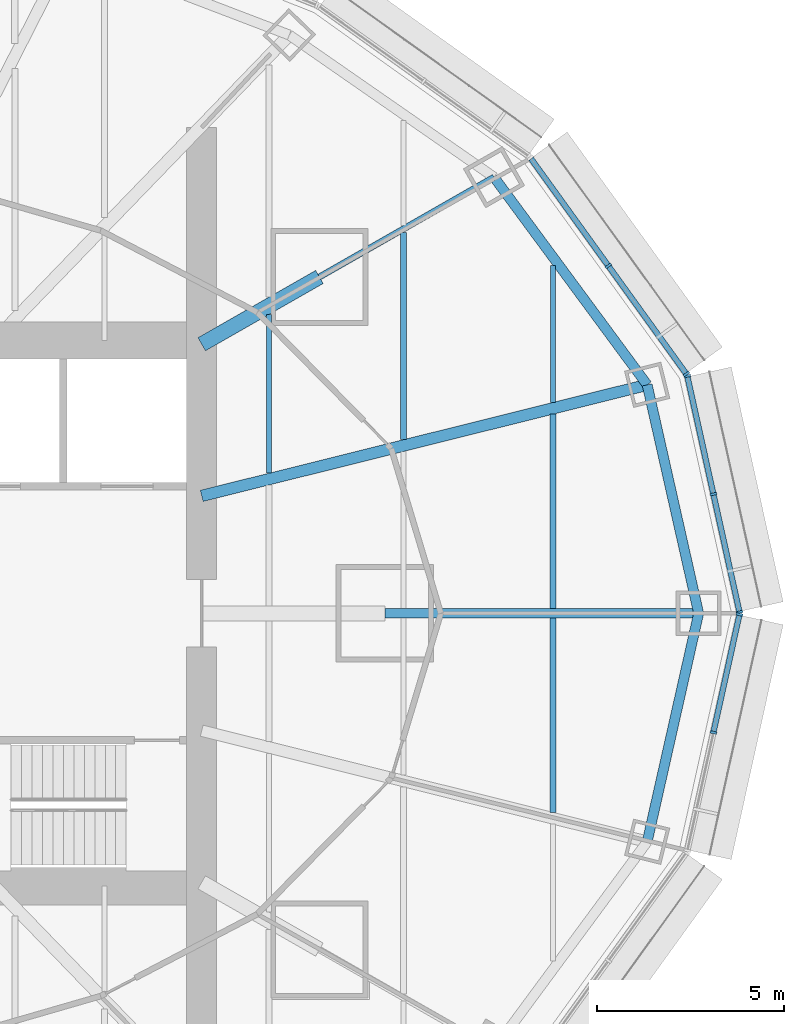
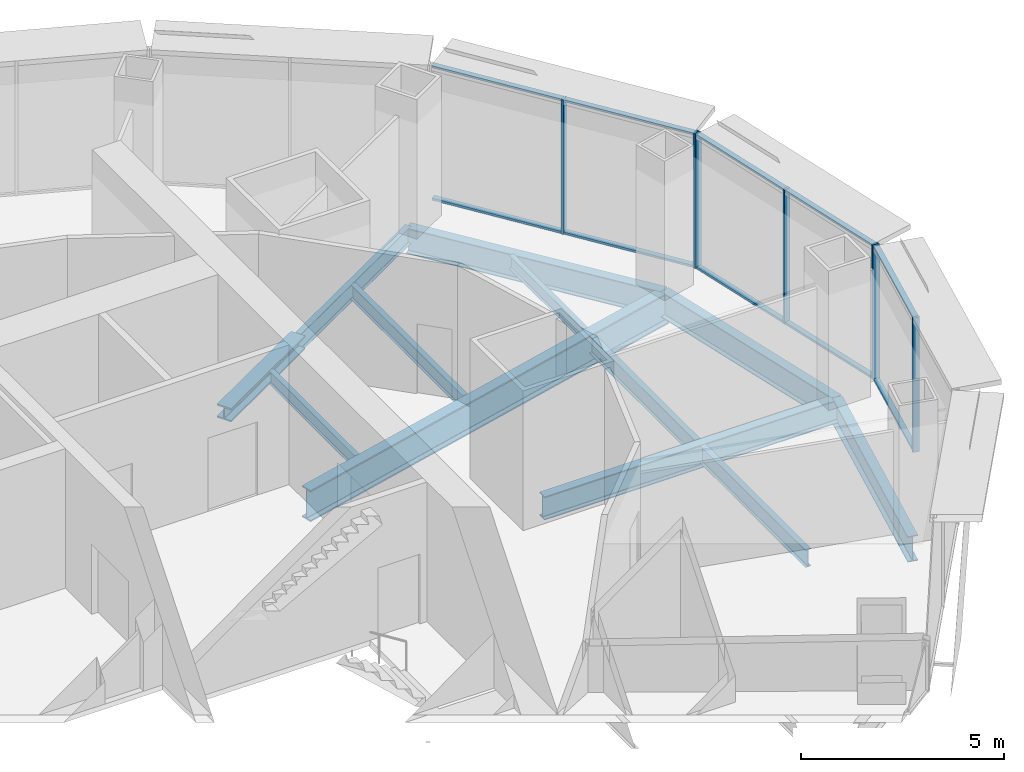
# One storey, part 7 of 16: 17 members, 12 beams, 3 elements without a shape of their own.
"""IFC4 building model written with IfcOpenShell, lengths in metres."""

from ifc_helpers import new_model, si_unit, direction, frame, origin, origin_2d, place, context, subcontext, project, spatial, rectangle, i_section, extrude, material, material_profile, profile_set, type_object, element, aggregate, save


model = new_model("IFC4")

# Units and contexts
model_context = context("Model", 3, precision=1e-05, world=origin(), true_north=direction((0.0, 1.0)))
body_context = subcontext(model_context, "Body", "Model", "MODEL_VIEW")
ifc_project = project(units=[si_unit("LENGTHUNIT", "METRE"), si_unit("AREAUNIT", "SQUARE_METRE"), si_unit("VOLUMEUNIT", "CUBIC_METRE"), si_unit("PLANEANGLEUNIT", "RADIAN"), si_unit("MASSUNIT", "GRAM", prefix="KILO")], contexts=[model_context])

# Site, building, storey
site_placement = place(None, origin())
site = spatial("IfcSite", under=ifc_project, at=site_placement, CompositionType="ELEMENT")
building_placement = place(site_placement, origin())
building = spatial("IfcBuilding", under=site, at=building_placement, Name="Lantaw Convention Tower", CompositionType="ELEMENT")
storey_placement = place(building_placement, frame((0.0, 0.0, 232.60009765625)))
storey = spatial("IfcBuildingStorey", under=building, at=storey_placement, Name="L54", CompositionType="ELEMENT", Elevation=232.60009765625)

# Beams
ifc_material_1 = material(Name="Steel ASTM A992", Category="steel")
ifc_material_profile_1 = material_profile(ifc_material_1, i_section(OverallWidth=0.2666015625, OverallDepth=0.76953125, WebThickness=0.015625, FlangeThickness=0.025390625, FilletRadius=0.0126953125, at=origin_2d()), Name="W30X132")
ifc_profile_set_1 = profile_set([ifc_material_profile_1], Name="Steel ASTM A992")
beam_type_1 = type_object("IfcBeamType", Name="Beam E W30X132", PredefinedType="SPANDREL", material=ifc_profile_set_1)
beam_1_placement = place(storey_placement, frame((25.89990234375, 0.0, -0.534912109375), z_axis=(-0.219857926596, 0.97553190215, 0.0), x_axis=(-0.97553190215, -0.219857926596, 0.0)))
element("IfcBeam", 1, at=beam_1_placement, inside=storey, type_object=beam_type_1, Name="Edge beam 1", PredefinedType="SPANDREL", context=body_context, shape_type="SweptSolid", body=[
    extrude(i_section(OverallWidth=0.2666015625, OverallDepth=0.76953125, WebThickness=0.015625, FlangeThickness=0.025390625, FilletRadius=0.0126953125, at=origin_2d()), origin(), (0.0, 0.0, 1.0), 6.267333984375),
])
beam_2_placement = place(storey_placement, frame((24.52197265625, 6.114013671875, -0.534912109375), z_axis=(-0.593639188853, 0.804731329984, 0.0), x_axis=(-0.804731329984, -0.593639188853, 0.0)))
element("IfcBeam", 2, at=beam_2_placement, inside=storey, type_object=beam_type_1, Name="Edge beam 2", PredefinedType="SPANDREL", context=body_context, shape_type="SweptSolid", body=[
    extrude(i_section(OverallWidth=0.2666015625, OverallDepth=0.76953125, WebThickness=0.015625, FlangeThickness=0.025390625, FilletRadius=0.0126953125, at=origin_2d()), origin(), (0.0, 0.0, 1.0), 6.904541015625),
])
beam_3_placement = place(storey_placement, frame((24.52197265625, -6.114013671875, -0.534912109375), z_axis=(0.219857926596, 0.97553190215, 0.0), x_axis=(-0.97553190215, 0.219857926596, 0.0)))
element("IfcBeam", 3, at=beam_3_placement, inside=storey, type_object=beam_type_1, Name="Edge beam 24", PredefinedType="SPANDREL", context=body_context, shape_type="SweptSolid", body=[
    extrude(i_section(OverallWidth=0.2666015625, OverallDepth=0.76953125, WebThickness=0.015625, FlangeThickness=0.025390625, FilletRadius=0.0126953125, at=origin_2d()), origin(), (0.0, 0.0, 1.0), 6.267333984375),
])
ifc_material_profile_2 = material_profile(ifc_material_1, i_section(OverallWidth=0.1650390625, OverallDepth=0.52587890625, WebThickness=0.0087890625, FlangeThickness=0.011474609375, FilletRadius=0.0126953125, at=origin_2d()), Name="W21X44")
ifc_profile_set_2 = profile_set([ifc_material_profile_2], Name="Steel ASTM A992")
beam_type_2 = type_object("IfcBeamType", Name="Beam G W21X44", PredefinedType="BEAM", material=ifc_profile_set_2)
beam_4_placement = place(storey_placement, frame((15.75, 9.0, -0.4130859375), z_axis=(0.868237559289, 0.496148708192, 0.0), x_axis=(-0.496148708192, 0.868237559289, 0.0)))
element("IfcBeam", 4, at=beam_4_placement, inside=storey, type_object=beam_type_2, Name="Floor girder on ray 3", PredefinedType="BEAM", context=body_context, shape_type="SweptSolid", body=[
    extrude(i_section(OverallWidth=0.1650390625, OverallDepth=0.52587890625, WebThickness=0.0087890625, FlangeThickness=0.011474609375, FilletRadius=0.0126953125, at=origin_2d()), origin(), (0.0, 0.0, 1.0), 5.38232421875),
])
ifc_material_profile_3 = material_profile(ifc_material_1, i_section(OverallWidth=0.25390625, OverallDepth=0.700927734375, WebThickness=0.015380859375, FlangeThickness=0.02783203125, FilletRadius=0.01513671875, at=origin_2d()), Name="W27X129")
ifc_profile_set_3 = profile_set([ifc_material_profile_3], Name="Steel ASTM A992")
beam_type_3 = type_object("IfcBeamType", Name="Beam G W27X129", PredefinedType="BEAM", material=ifc_profile_set_3)
beam_5_placement = place(storey_placement, frame((17.5, 0.0, -0.500732421875), z_axis=(1.0, 0.0, 0.0), x_axis=(0.0, 1.0, 0.0)))
element("IfcBeam", 5, at=beam_5_placement, inside=storey, type_object=beam_type_3, Name="Floor girder on ray 1", PredefinedType="BEAM", context=body_context, shape_type="SweptSolid", body=[
    extrude(i_section(OverallWidth=0.25390625, OverallDepth=0.700927734375, WebThickness=0.015380859375, FlangeThickness=0.02783203125, FilletRadius=0.01513671875, at=origin_2d()), origin(), (0.0, 0.0, 1.0), 8.39990234375),
])
ifc_material_profile_4 = material_profile(ifc_material_1, i_section(OverallWidth=0.307373046875, OverallDepth=0.9423828125, WebThickness=0.022216796875, FlangeThickness=0.039794921875, FilletRadius=0.0126953125, at=origin_2d()), Name="W36X232")
ifc_profile_set_4 = profile_set([ifc_material_profile_4], Name="Steel ASTM A992")
beam_type_4 = type_object("IfcBeamType", Name="Beam G W36X232", PredefinedType="BEAM", material=ifc_profile_set_4)
beam_6_placement = place(storey_placement, frame((12.60009765625, 3.1416015625, -0.621337890625), z_axis=(0.970296589314, 0.241918434119, 0.0), x_axis=(-0.241918434119, 0.970296589314, 0.0)))
element("IfcBeam", 6, at=beam_6_placement, inside=storey, type_object=beam_type_4, Name="Floor girder on ray 2", PredefinedType="BEAM", context=body_context, shape_type="SweptSolid", body=[
    extrude(i_section(OverallWidth=0.307373046875, OverallDepth=0.9423828125, WebThickness=0.022216796875, FlangeThickness=0.039794921875, FilletRadius=0.0126953125, at=origin_2d()), origin(), (0.0, 0.0, 1.0), 12.286865234375),
])
ifc_material_profile_5 = material_profile(ifc_material_1, i_section(OverallWidth=0.40380859375, OverallDepth=0.406494140625, WebThickness=0.027099609375, FlangeThickness=0.043701171875, FilletRadius=0.01513671875, at=origin_2d()), Name="W14X233")
ifc_profile_set_5 = profile_set([ifc_material_profile_5], Name="Steel ASTM A992")
beam_type_5 = type_object("IfcBeamType", Name="Beam GM W14X233", PredefinedType="BEAM", material=ifc_profile_set_5)
beam_7_placement = place(storey_placement, frame((12.60009765625, 7.199951171875, -0.353271484375), z_axis=(0.868230718294, 0.496160679428, 0.0), x_axis=(-0.496160679428, 0.868230718294, 0.0)))
element("IfcBeam", 7, at=beam_7_placement, inside=storey, type_object=beam_type_5, Name="Core link beam on ray 3", PredefinedType="BEAM", context=body_context, shape_type="SweptSolid", body=[
    extrude(i_section(OverallWidth=0.40380859375, OverallDepth=0.406494140625, WebThickness=0.027099609375, FlangeThickness=0.043701171875, FilletRadius=0.01513671875, at=origin_2d()), origin(), (0.0, 0.0, 1.0), 3.6279296875),
])
ifc_material_profile_6 = material_profile(ifc_material_1, i_section(OverallWidth=0.140380859375, OverallDepth=0.40380859375, WebThickness=0.007080078125, FlangeThickness=0.01123046875, FilletRadius=0.01025390625, at=origin_2d()), Name="W16X31")
ifc_profile_set_6 = profile_set([ifc_material_profile_6], Name="Steel ASTM A992")
beam_type_6 = type_object("IfcBeamType", Name="Beam J W16X31", PredefinedType="JOIST", material=ifc_profile_set_6)
beam_8_placement = place(storey_placement, frame((14.39990234375, 3.748779296875, -0.35205078125), z_axis=(0.0, 1.0, 0.0), x_axis=(-1.0, 0.0, 0.0)))
element("IfcBeam", 8, at=beam_8_placement, inside=storey, type_object=beam_type_6, Name="Floor joist", PredefinedType="JOIST", context=body_context, shape_type="SweptSolid", body=[
    extrude(i_section(OverallWidth=0.140380859375, OverallDepth=0.40380859375, WebThickness=0.007080078125, FlangeThickness=0.01123046875, FilletRadius=0.01025390625, at=origin_2d()), origin(), (0.0, 0.0, 1.0), 4.247314453125),
])
beam_9_placement = place(storey_placement, frame((22.0, 5.6435546875, -0.35205078125), z_axis=(0.0, 1.0, 0.0), x_axis=(-1.0, 0.0, 0.0)))
element("IfcBeam", 9, at=beam_9_placement, inside=storey, type_object=beam_type_6, Name="Floor joist", PredefinedType="JOIST", context=body_context, shape_type="SweptSolid", body=[
    extrude(i_section(OverallWidth=0.140380859375, OverallDepth=0.40380859375, WebThickness=0.007080078125, FlangeThickness=0.01123046875, FilletRadius=0.01025390625, at=origin_2d()), origin(), (0.0, 0.0, 1.0), 3.66455078125),
])
ifc_material_profile_7 = material_profile(ifc_material_1, i_section(OverallWidth=0.15234375, OverallDepth=0.449462890625, WebThickness=0.007568359375, FlangeThickness=0.0107421875, FilletRadius=0.01025390625, at=origin_2d()), Name="W18X35")
ifc_profile_set_7 = profile_set([ifc_material_profile_7], Name="Steel ASTM A992")
beam_type_7 = type_object("IfcBeamType", Name="Beam J W18X35", PredefinedType="JOIST", material=ifc_profile_set_7)
beam_10_placement = place(storey_placement, frame((18.0, 4.646240234375, -0.375), z_axis=(0.0, 1.0, 0.0), x_axis=(-1.0, 0.0, 0.0)))
element("IfcBeam", 10, at=beam_10_placement, inside=storey, type_object=beam_type_7, Name="Floor joist", PredefinedType="JOIST", context=body_context, shape_type="SweptSolid", body=[
    extrude(i_section(OverallWidth=0.15234375, OverallDepth=0.449462890625, WebThickness=0.007568359375, FlangeThickness=0.0107421875, FilletRadius=0.01025390625, at=origin_2d()), origin(), (0.0, 0.0, 1.0), 5.54443359375),
])
ifc_material_profile_8 = material_profile(ifc_material_1, i_section(OverallWidth=0.1650390625, OverallDepth=0.52587890625, WebThickness=0.0087890625, FlangeThickness=0.011474609375, FilletRadius=0.0126953125, at=origin_2d()), Name="W21X44")
ifc_profile_set_8 = profile_set([ifc_material_profile_8], Name="Steel ASTM A992")
beam_type_8 = type_object("IfcBeamType", Name="Beam J W21X44", PredefinedType="JOIST", material=ifc_profile_set_8)
for number, where, z_axis, x_axis, name in (
    (11, (22.0, -5.326904296875, -0.4130859375), (0.0, 1.0, 0.0), (-1.0, 0.0, 0.0), "Floor joist"),
    (12, (22.0, 0.126953125, -0.4130859375), (0.0, 1.0, 0.0), (-1.0, 0.0, 0.0), "Floor joist"),
):
    element("IfcBeam", number, at=place(storey_placement, frame(where, z_axis=z_axis, x_axis=x_axis)), inside=storey, type_object=beam_type_8, Name=name, PredefinedType="JOIST", context=body_context, shape_type="SweptSolid", body=[
        extrude(i_section(OverallWidth=0.1650390625, OverallDepth=0.52587890625, WebThickness=0.0087890625, FlangeThickness=0.011474609375, FilletRadius=0.0126953125, at=origin_2d()), origin(), (0.0, 0.0, 1.0), 5.199951171875),
    ])

# Curtain wall, members
ifc_material_2 = material(Name="Aluminium framed curtain wall", Category="aluminium")
curtain_wall_type = type_object("IfcCurtainWallType", Name="Office curtain wall high rise, pale aluminium", PredefinedType="USERDEFINED", material=ifc_material_2)
curtain_wall_1_placement = place(storey_placement, origin())
curtain_wall_1 = element("IfcCurtainWall", 13, at=curtain_wall_1_placement, inside=storey, type_object=curtain_wall_type, Name="Office curtain wall high rise, pale aluminium L54", ObjectType="UNITISED CURTAIN WALL", PredefinedType="USERDEFINED")
ifc_material_3 = material(Name="Aluminium 6063-T6", Category="aluminium")
ifc_material_profile_9 = material_profile(ifc_material_3, rectangle(XDim=0.179931640625, YDim=0.06494140625, at=origin_2d()), Name="CW-O2 mullion 65x180")
ifc_profile_set_9 = profile_set([ifc_material_profile_9], Name="Aluminium 6063-T6")
member_type_1 = type_object("IfcMemberType", Name="CW-O2 mullion 65x180", PredefinedType="MULLION", material=ifc_profile_set_9)
member_1_placement = place(storey_placement, frame((26.992919921875, 0.03173828125, 0.0), z_axis=(0.0, 0.0, 1.0), x_axis=(-0.976417396437, -0.215891333626, 0.0)))
member_1 = element("IfcMember", 14, at=member_1_placement, type_object=member_type_1, Name="CW-O2 mullion 1", PredefinedType="MULLION", context=body_context, shape_type="SweptSolid", body=[
    extrude(rectangle(XDim=0.179931640625, YDim=0.06494140625, at=origin_2d()), origin(), (0.0, 0.0, 1.0), 4.0498046875),
])
member_2_placement = place(storey_placement, frame((26.294677734375, 3.190185546875, 0.0), z_axis=(0.0, 0.0, 1.0), x_axis=(-0.976417396437, -0.215891333626, 0.0)))
member_2 = element("IfcMember", 15, at=member_2_placement, type_object=member_type_1, Name="CW-O2 mullion 2", PredefinedType="MULLION", context=body_context, shape_type="SweptSolid", body=[
    extrude(rectangle(XDim=0.179931640625, YDim=0.06494140625, at=origin_2d()), origin(), (0.0, 0.0, 1.0), 4.0498046875),
])
member_3_placement = place(storey_placement, frame((25.596435546875, 6.348388671875, 0.0), z_axis=(0.0, 0.0, 1.0), x_axis=(-0.976417396437, -0.215891333626, 0.0)))
member_3 = element("IfcMember", 16, at=member_3_placement, type_object=member_type_1, Name="CW-O2 mullion 3", PredefinedType="MULLION", context=body_context, shape_type="SweptSolid", body=[
    extrude(rectangle(XDim=0.179931640625, YDim=0.06494140625, at=origin_2d()), origin(), (0.0, 0.0, 1.0), 4.0498046875),
])

curtain_wall_2_placement = place(storey_placement, origin())
curtain_wall_2 = element("IfcCurtainWall", 17, at=curtain_wall_2_placement, inside=storey, type_object=curtain_wall_type, Name="Office curtain wall high rise, pale aluminium L54", ObjectType="UNITISED CURTAIN WALL", PredefinedType="USERDEFINED")
member_4_placement = place(storey_placement, frame((25.5703125, 6.406494140625, 0.0), z_axis=(0.0, 0.0, 1.0), x_axis=(-0.810919559405, -0.585157643865, 0.0)))
member_4 = element("IfcMember", 18, at=member_4_placement, type_object=member_type_1, Name="CW-O2 mullion 1", PredefinedType="MULLION", context=body_context, shape_type="SweptSolid", body=[
    extrude(rectangle(XDim=0.179931640625, YDim=0.06494140625, at=origin_2d()), origin(), (0.0, 0.0, 1.0), 4.0498046875),
])
member_5_placement = place(storey_placement, frame((23.483642578125, 9.298095703125, 0.0), z_axis=(0.0, 0.0, 1.0), x_axis=(-0.810919559405, -0.585157643865, 0.0)))
member_5 = element("IfcMember", 19, at=member_5_placement, type_object=member_type_1, Name="CW-O2 mullion 2", PredefinedType="MULLION", context=body_context, shape_type="SweptSolid", body=[
    extrude(rectangle(XDim=0.179931640625, YDim=0.06494140625, at=origin_2d()), origin(), (0.0, 0.0, 1.0), 4.0498046875),
])

curtain_wall_3_placement = place(storey_placement, origin())
curtain_wall_3 = element("IfcCurtainWall", 20, at=curtain_wall_3_placement, inside=storey, type_object=curtain_wall_type, Name="Office curtain wall high rise, pale aluminium L54", ObjectType="UNITISED CURTAIN WALL", PredefinedType="USERDEFINED")
member_6_placement = place(storey_placement, frame((26.294677734375, -3.190185546875, 0.0), z_axis=(0.0, 0.0, 1.0), x_axis=(-0.976417396437, 0.215891333626, 0.0)))
member_6 = element("IfcMember", 21, at=member_6_placement, type_object=member_type_1, Name="CW-O2 mullion 2", PredefinedType="MULLION", context=body_context, shape_type="SweptSolid", body=[
    extrude(rectangle(XDim=0.179931640625, YDim=0.06494140625, at=origin_2d()), origin(), (0.0, 0.0, 1.0), 4.0498046875),
])
member_7_placement = place(storey_placement, frame((26.992919921875, -0.03173828125, 0.0), z_axis=(0.0, 0.0, 1.0), x_axis=(-0.976417396437, 0.215891333626, 0.0)))
member_7 = element("IfcMember", 22, at=member_7_placement, type_object=member_type_1, Name="CW-O2 mullion 3", PredefinedType="MULLION", context=body_context, shape_type="SweptSolid", body=[
    extrude(rectangle(XDim=0.179931640625, YDim=0.06494140625, at=origin_2d()), origin(), (0.0, 0.0, 1.0), 4.0498046875),
])

# Member
ifc_material_profile_10 = material_profile(ifc_material_3, rectangle(XDim=0.14990234375, YDim=0.06494140625, at=origin_2d()), Name="CW-O2 transom 65x150")
ifc_profile_set_10 = profile_set([ifc_material_profile_10], Name="Aluminium 6063-T6")
member_type_2 = type_object("IfcMemberType", Name="CW-O2 transom 65x150", PredefinedType="USERDEFINED", material=ifc_profile_set_10)
member_8_placement = place(storey_placement, frame((26.986083984375, 0.0634765625, 0.032470703125), z_axis=(-0.215894607042, 0.976416672661, 0.0), x_axis=(-0.976416672661, -0.215894607042, 0.0)))
member_8 = element("IfcMember", 23, at=member_8_placement, type_object=member_type_2, Name="CW-O2 transom 1.1", ObjectType="TRANSOM", PredefinedType="USERDEFINED", context=body_context, shape_type="SweptSolid", body=[
    extrude(rectangle(XDim=0.14990234375, YDim=0.06494140625, at=origin_2d()), origin(), (0.0, 0.0, 1.0), 3.169677734375),
])

member_9_placement = place(storey_placement, frame((26.986083984375, 0.0634765625, 4.017333984375), z_axis=(-0.215894607042, 0.976416672661, 0.0), x_axis=(-0.976416672661, -0.215894607042, 0.0)))
member_9 = element("IfcMember", 24, at=member_9_placement, type_object=member_type_2, Name="CW-O2 transom 1.2", ObjectType="TRANSOM", PredefinedType="USERDEFINED", context=body_context, shape_type="SweptSolid", body=[
    extrude(rectangle(XDim=0.14990234375, YDim=0.06494140625, at=origin_2d()), origin(), (0.0, 0.0, 1.0), 3.169677734375),
])

member_10_placement = place(storey_placement, frame((26.28759765625, 3.2216796875, 0.032470703125), z_axis=(-0.215894607042, 0.976416672661, 0.0), x_axis=(-0.976416672661, -0.215894607042, 0.0)))
member_10 = element("IfcMember", 25, at=member_10_placement, type_object=member_type_2, Name="CW-O2 transom 2.1", ObjectType="TRANSOM", PredefinedType="USERDEFINED", context=body_context, shape_type="SweptSolid", body=[
    extrude(rectangle(XDim=0.14990234375, YDim=0.06494140625, at=origin_2d()), origin(), (0.0, 0.0, 1.0), 3.169677734375),
])

member_11_placement = place(storey_placement, frame((26.28759765625, 3.2216796875, 4.017333984375), z_axis=(-0.215894607042, 0.976416672661, 0.0), x_axis=(-0.976416672661, -0.215894607042, 0.0)))
member_11 = element("IfcMember", 26, at=member_11_placement, type_object=member_type_2, Name="CW-O2 transom 2.2", ObjectType="TRANSOM", PredefinedType="USERDEFINED", context=body_context, shape_type="SweptSolid", body=[
    extrude(rectangle(XDim=0.14990234375, YDim=0.06494140625, at=origin_2d()), origin(), (0.0, 0.0, 1.0), 3.169677734375),
])

aggregate(curtain_wall_1, [member_1, member_2, member_3, member_8, member_9, member_10, member_11])

member_12_placement = place(storey_placement, frame((25.55126953125, 6.432861328125, 0.032470703125), z_axis=(-0.585169685931, 0.810910869743, 0.0), x_axis=(-0.810910869743, -0.585169685931, 0.0)))
member_12 = element("IfcMember", 27, at=member_12_placement, type_object=member_type_2, Name="CW-O2 transom 1.1", ObjectType="TRANSOM", PredefinedType="USERDEFINED", context=body_context, shape_type="SweptSolid", body=[
    extrude(rectangle(XDim=0.14990234375, YDim=0.06494140625, at=origin_2d()), origin(), (0.0, 0.0, 1.0), 3.500732421875),
])

member_13_placement = place(storey_placement, frame((25.55126953125, 6.432861328125, 4.017333984375), z_axis=(-0.585169685931, 0.810910869743, 0.0), x_axis=(-0.810910869743, -0.585169685931, 0.0)))
member_13 = element("IfcMember", 28, at=member_13_placement, type_object=member_type_2, Name="CW-O2 transom 1.2", ObjectType="TRANSOM", PredefinedType="USERDEFINED", context=body_context, shape_type="SweptSolid", body=[
    extrude(rectangle(XDim=0.14990234375, YDim=0.06494140625, at=origin_2d()), origin(), (0.0, 0.0, 1.0), 3.500732421875),
])

member_14_placement = place(storey_placement, frame((23.464599609375, 9.324462890625, 0.032470703125), z_axis=(-0.585123825205, 0.810943961798, 0.0), x_axis=(-0.810943961798, -0.585123825205, 0.0)))
member_14 = element("IfcMember", 29, at=member_14_placement, type_object=member_type_2, Name="CW-O2 transom 2.1", ObjectType="TRANSOM", PredefinedType="USERDEFINED", context=body_context, shape_type="SweptSolid", body=[
    extrude(rectangle(XDim=0.14990234375, YDim=0.06494140625, at=origin_2d()), origin(), (0.0, 0.0, 1.0), 3.500732421875),
])

member_15_placement = place(storey_placement, frame((23.464599609375, 9.324462890625, 4.017333984375), z_axis=(-0.585123825205, 0.810943961798, 0.0), x_axis=(-0.810943961798, -0.585123825205, 0.0)))
member_15 = element("IfcMember", 30, at=member_15_placement, type_object=member_type_2, Name="CW-O2 transom 2.2", ObjectType="TRANSOM", PredefinedType="USERDEFINED", context=body_context, shape_type="SweptSolid", body=[
    extrude(rectangle(XDim=0.14990234375, YDim=0.06494140625, at=origin_2d()), origin(), (0.0, 0.0, 1.0), 3.500732421875),
])

aggregate(curtain_wall_2, [member_4, member_5, member_12, member_13, member_14, member_15])

member_16_placement = place(storey_placement, frame((26.3017578125, -3.158447265625, 0.032470703125), z_axis=(0.215894607042, 0.976416672661, 0.0), x_axis=(-0.976416672661, 0.215894607042, 0.0)))
member_16 = element("IfcMember", 31, at=member_16_placement, type_object=member_type_2, Name="CW-O2 transom 2.1", ObjectType="TRANSOM", PredefinedType="USERDEFINED", context=body_context, shape_type="SweptSolid", body=[
    extrude(rectangle(XDim=0.14990234375, YDim=0.06494140625, at=origin_2d()), origin(), (0.0, 0.0, 1.0), 3.169677734375),
])

member_17_placement = place(storey_placement, frame((26.3017578125, -3.158447265625, 4.017333984375), z_axis=(0.215894607042, 0.976416672661, 0.0), x_axis=(-0.976416672661, 0.215894607042, 0.0)))
member_17 = element("IfcMember", 32, at=member_17_placement, type_object=member_type_2, Name="CW-O2 transom 2.2", ObjectType="TRANSOM", PredefinedType="USERDEFINED", context=body_context, shape_type="SweptSolid", body=[
    extrude(rectangle(XDim=0.14990234375, YDim=0.06494140625, at=origin_2d()), origin(), (0.0, 0.0, 1.0), 3.169677734375),
])

aggregate(curtain_wall_3, [member_6, member_7, member_16, member_17])

save(model, "model.ifc")
